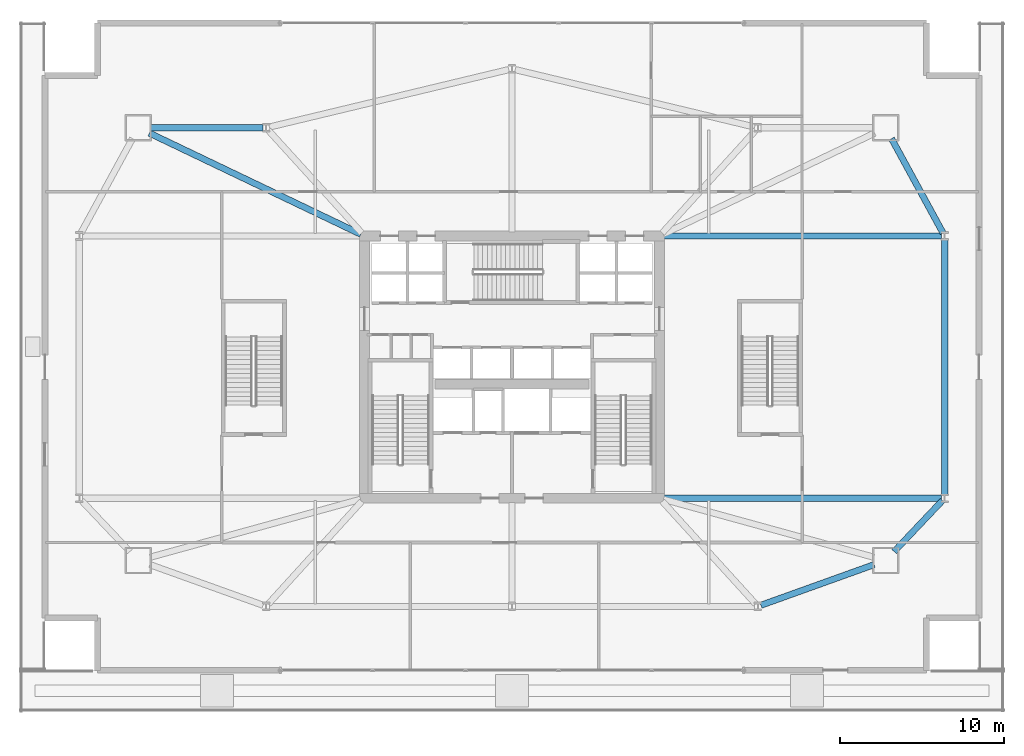
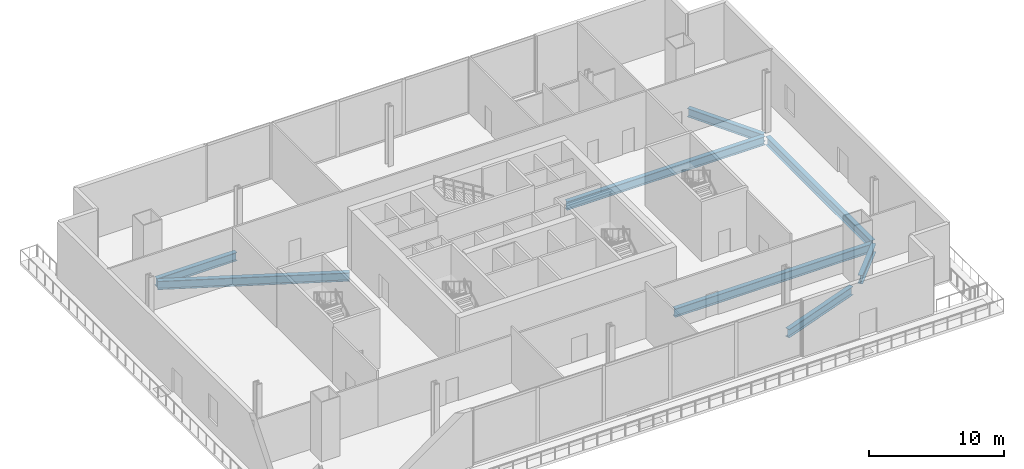
# One storey, part 6 of 20: 8 beams.
"""IFC4 building model written with IfcOpenShell, lengths in metres."""

import ifcopenshell
import ifcopenshell.guid

model = None  # the IFC model being written
_history = None  # IfcOwnerHistory: only IFC2X3 demands one
_inside = {}  # id of a spatial element -> (the spatial element, [elements in it])
_under = {}  # id of a project, library or spatial element -> (it, [spatial elements below it])
_declared = {}  # id of a project -> (the project, [libraries it declares])
_typed = {}  # id of a type object -> (the type object, [elements of that type])
_made_of = {}  # id of a material, layer set ... -> (it, [elements and type objects made of it])


def new_model(schema):
    """Start an empty IFC model of exactly this schema.

    Asked for "IFC4X3", IfcOpenShell would pick the latest addendum, in which some entities
    have other attributes; the version numbers below select the first issue.
    IFC2X3 requires an IfcOwnerHistory on every rooted entity: one is made here for all.
    """
    global model, _history
    if schema == "IFC4X3":
        model = ifcopenshell.file(schema_version=(4, 3, 0, 0))
    else:
        model = ifcopenshell.file(schema=schema)
    _inside.clear()
    _under.clear()
    _declared.clear()
    _typed.clear()
    _made_of.clear()
    _history = None
    if model.schema == "IFC2X3":
        org = make("IfcOrganization", Name="unknown")
        user = make(
            "IfcPersonAndOrganization",
            ThePerson=make("IfcPerson", FamilyName="unknown"),
            TheOrganization=org,
        )
        app = make(
            "IfcApplication",
            ApplicationDeveloper=org,
            Version="unknown",
            ApplicationFullName="unknown",
            ApplicationIdentifier="unknown",
        )
        _history = make(
            "IfcOwnerHistory",
            OwningUser=user,
            OwningApplication=app,
            ChangeAction="ADDED",
            CreationDate=0,
        )
    return model


def make(cls, **values):
    """One entity of the class cls with the attributes given. An attribute that is None is left unset."""
    return model.create_entity(
        cls, **{name: value for name, value in values.items() if value is not None}
    )


def rooted(cls, **values):
    """An entity with a GlobalId (a new one), such as an element, a storey or a relation."""
    return make(cls, GlobalId=ifcopenshell.guid.new(), OwnerHistory=_history, **values)


def si_unit(unit_type, name, prefix=None):
    """IfcSIUnit, for example si_unit("LENGTHUNIT", "METRE", prefix="MILLI")."""
    return make("IfcSIUnit", UnitType=unit_type, Prefix=prefix, Name=name)


def assignment(units):
    """IfcUnitAssignment: the units of a project."""
    return None if units is None else make("IfcUnitAssignment", Units=units)


def point(xyz):
    """IfcCartesianPoint."""
    return None if xyz is None else make("IfcCartesianPoint", Coordinates=xyz)


def direction(xyz):
    """IfcDirection."""
    return None if xyz is None else make("IfcDirection", DirectionRatios=xyz)


def frame(location, z_axis=None, x_axis=None):
    """IfcAxis2Placement3D, a coordinate frame: its origin and axes. An axis left out is left unset."""
    return make(
        "IfcAxis2Placement3D",
        Location=point(location),
        Axis=direction(z_axis),
        RefDirection=direction(x_axis),
    )


def frame_2d(location, x_axis=None):
    """IfcAxis2Placement2D, a coordinate frame in the plane: its origin and x axis."""
    return make(
        "IfcAxis2Placement2D", Location=point(location), RefDirection=direction(x_axis)
    )


def origin():
    """The frame at (0, 0, 0) with its axes left unset."""
    return frame((0.0, 0.0, 0.0))


def origin_2d():
    """The frame at (0, 0) in the plane with its x axis left unset."""
    return frame_2d((0.0, 0.0))


def place(relative_to, where):
    """IfcLocalPlacement: puts the frame where relative to a parent placement (None: the world)."""
    return make(
        "IfcLocalPlacement", PlacementRelTo=relative_to, RelativePlacement=where
    )


def context(
    kind, dimensions, precision=None, world=None, true_north=None, identifier=None
):
    """IfcGeometricRepresentationContext, for example the 3D "Model" context."""
    return make(
        "IfcGeometricRepresentationContext",
        ContextIdentifier=identifier,
        ContextType=kind,
        CoordinateSpaceDimension=dimensions,
        Precision=precision,
        WorldCoordinateSystem=world,
        TrueNorth=true_north,
    )


def subcontext(parent, identifier, kind, view, scale=None):
    """IfcGeometricRepresentationSubContext, for example "Body" below "Model"."""
    return make(
        "IfcGeometricRepresentationSubContext",
        ContextIdentifier=identifier,
        ContextType=kind,
        ParentContext=parent,
        TargetScale=scale,
        TargetView=view,
    )


def project(units=None, contexts=None):
    """IfcProject with its units and contexts."""
    return rooted(
        "IfcProject",
        Name="project",
        RepresentationContexts=contexts,
        UnitsInContext=assignment(units),
    )


def spatial(cls, under=None, at=None, **own):
    """A site, building, storey or space (cls), placed at a placement, below another one or the project."""
    s = rooted(cls, ObjectPlacement=at, **own)
    if under is not None:
        _under.setdefault(under.id(), (under, []))[1].append(s)
    return s


def profile(cls, at=None, kind="AREA", **sizes):
    """A parametric profile (cls). Its sizes go by their IFC names, for example OverallWidth=200.0."""
    return make(cls, ProfileType=kind, Position=at, **sizes)


def i_section(**sizes):
    """IfcIShapeProfileDef."""
    return profile("IfcIShapeProfileDef", **sizes)


def extrude(swept, where, along, depth):
    """IfcExtrudedAreaSolid: the profile swept, set in the frame where, extruded along a direction by depth."""
    return make(
        "IfcExtrudedAreaSolid",
        SweptArea=swept,
        Position=where,
        ExtrudedDirection=direction(along),
        Depth=depth,
    )


def shape(context_of_items, identifier, shape_type, items):
    """IfcShapeRepresentation: the items that make up one representation, for example the "Body"."""
    return make(
        "IfcShapeRepresentation",
        ContextOfItems=context_of_items,
        RepresentationIdentifier=identifier,
        RepresentationType=shape_type,
        Items=items,
    )


def material(Name=None, Category=None):
    """IfcMaterial."""
    return make("IfcMaterial", Name=Name, Category=Category)


def material_profile(
    of_material, cross_section, Name=None, Category=None, Priority=None
):
    """IfcMaterialProfile: a cross section and its material."""
    return make(
        "IfcMaterialProfile",
        Name=Name,
        Material=of_material,
        Profile=cross_section,
        Priority=Priority,
        Category=Category,
    )


def profile_set(profiles, Name=None, composite=None):
    """IfcMaterialProfileSet."""
    return make(
        "IfcMaterialProfileSet",
        Name=Name,
        MaterialProfiles=profiles,
        CompositeProfile=composite,
    )


def made_of(thing, what):
    """Note that an element or type object is made of a material, layer set ...; save() writes the relation."""
    if what is not None:
        _made_of.setdefault(what.id(), (what, []))[1].append(thing)
    return thing


def type_object(cls, material=None, **own):
    """A type object (cls), such as IfcWallType, which elements share."""
    return made_of(rooted(cls, **own), material)


def element(
    cls,
    number,
    at=None,
    inside=None,
    cuts=None,
    type_object=None,
    material=None,
    context=None,
    identifier="Body",
    shape_type=None,
    held_by="IfcProductDefinitionShape",
    body=None,
    shapes=None,
    **own,
):
    """One element of the class cls, such as IfcWall. Its Tag is "e" and its number.

    at: its placement. inside: the storey or other place that contains it. cuts: it is an
    opening in that element (IfcRelVoidsElement). A single representation is given by context,
    identifier, shape_type and body (its items); several are given by shapes. held_by: the class
    of the entity that holds the representations. save() writes the other relations.
    """
    e = rooted(cls, Tag="e%d" % number, ObjectPlacement=at, **own)
    if body is not None:
        shapes = [shape(context, identifier, shape_type, body)]
    if shapes is not None:
        e.Representation = make(held_by, Representations=shapes)
    if inside is not None:
        _inside.setdefault(inside.id(), (inside, []))[1].append(e)
    if cuts is not None:
        rooted(
            "IfcRelVoidsElement", RelatingBuildingElement=cuts, RelatedOpeningElement=e
        )
    if type_object is not None:
        _typed.setdefault(type_object.id(), (type_object, []))[1].append(e)
    return made_of(e, material)


def aggregate(whole, parts):
    """IfcRelAggregates: a whole, such as a stair, and the parts it consists of."""
    return rooted("IfcRelAggregates", RelatingObject=whole, RelatedObjects=parts)


def save(model, path):
    """Write the relations noted so far, then the file.

    IfcRelAggregates (storeys below a building ...), IfcRelContainedInSpatialStructure (elements
    in a storey), IfcRelDefinesByType, IfcRelAssociatesMaterial and IfcRelDeclares: one each for
    every whole, place, type object, material and project.
    """
    for whole, parts in _under.values():
        aggregate(whole, parts)
    for where, things in _inside.values():
        rooted(
            "IfcRelContainedInSpatialStructure",
            RelatedElements=things,
            RelatingStructure=where,
        )
    for kind, things in _typed.values():
        rooted("IfcRelDefinesByType", RelatedObjects=things, RelatingType=kind)
    for what, things in _made_of.values():
        rooted("IfcRelAssociatesMaterial", RelatedObjects=things, RelatingMaterial=what)
    for by, libraries in _declared.values():
        rooted("IfcRelDeclares", RelatingContext=by, RelatedDefinitions=libraries)
    model.write(path)


model = new_model("IFC4")

# Units and contexts
model_context = context("Model", 3, precision=1e-05, world=origin(), true_north=direction((0.0, 1.0)))
body_context = subcontext(model_context, "Body", "Model", "MODEL_VIEW")
ifc_project = project(units=[si_unit("LENGTHUNIT", "METRE"), si_unit("AREAUNIT", "SQUARE_METRE"), si_unit("VOLUMEUNIT", "CUBIC_METRE"), si_unit("PLANEANGLEUNIT", "RADIAN"), si_unit("MASSUNIT", "GRAM", prefix="KILO")], contexts=[model_context])

# Site, building, storey
site_placement = place(None, origin())
site = spatial("IfcSite", under=ifc_project, at=site_placement, CompositionType="ELEMENT")
building_placement = place(site_placement, origin())
building = spatial("IfcBuilding", under=site, at=building_placement, Name="Haldenkirk Collegiate Tower", CompositionType="ELEMENT")
storey_placement = place(building_placement, frame((0.0, 0.0, 11.39990234375)))
storey = spatial("IfcBuildingStorey", under=building, at=storey_placement, Name="L02", CompositionType="ELEMENT", Elevation=11.39990234375)

# Beams
ifc_material = material(Name="Steel ASTM A992 Grade 50", Category="steel")
ifc_material_profile = material_profile(ifc_material, i_section(OverallWidth=0.381103515625, OverallDepth=0.77294921875, WebThickness=0.0166015625, FlangeThickness=0.027099609375, at=origin_2d()), Name="W30X173")
ifc_profile_set = profile_set([ifc_material_profile], Name="Steel ASTM A992 Grade 50")
beam_type = type_object("IfcBeamType", Name="BM-GIRDER-W30X173", PredefinedType="BEAM", material=ifc_profile_set)
beam_1_placement = place(storey_placement, frame((51.188232421875, 11.467529296875, -0.71630859375), z_axis=(0.941194128141, 0.337866265189, 0.0), x_axis=(-0.337866265189, 0.941194128141, 0.0)))
element("IfcBeam", 1, at=beam_1_placement, inside=storey, type_object=beam_type, Name="L02 podium ring girder 04", PredefinedType="BEAM", context=body_context, shape_type="SweptSolid", body=[
    extrude(i_section(OverallWidth=0.381103515625, OverallDepth=0.77294921875, WebThickness=0.0166015625, FlangeThickness=0.027099609375, at=origin_2d()), origin(), (0.0, 0.0, 1.0), 7.337158203125),
])
beam_2_placement = place(storey_placement, frame((59.31591796875, 14.744384765625, -0.71630859375), z_axis=(0.687730422772, 0.725966160089, 0.0), x_axis=(-0.725966160089, 0.687730422772, 0.0)))
element("IfcBeam", 2, at=beam_2_placement, inside=storey, type_object=beam_type, Name="L02 podium ring girder 05", PredefinedType="BEAM", context=body_context, shape_type="SweptSolid", body=[
    extrude(i_section(OverallWidth=0.381103515625, OverallDepth=0.77294921875, WebThickness=0.0166015625, FlangeThickness=0.027099609375, at=origin_2d()), origin(), (0.0, 0.0, 1.0), 4.284423828125),
])
beam_3_placement = place(storey_placement, frame((62.39990234375, 18.199951171875, -0.71630859375), z_axis=(0.0, 1.0, 0.0), x_axis=(-1.0, 0.0, 0.0)))
element("IfcBeam", 3, at=beam_3_placement, inside=storey, type_object=beam_type, Name="L02 podium ring girder 06", PredefinedType="BEAM", context=body_context, shape_type="SweptSolid", body=[
    extrude(i_section(OverallWidth=0.381103515625, OverallDepth=0.77294921875, WebThickness=0.0166015625, FlangeThickness=0.027099609375, at=origin_2d()), origin(), (0.0, 0.0, 1.0), 15.60009765625),
])
beam_4_placement = place(storey_placement, frame((62.30419921875, 34.175537109375, -0.71630859375), z_axis=(-0.47883650459, 0.877904096056, 0.0), x_axis=(-0.877904096056, -0.47883650459, 0.0)))
element("IfcBeam", 4, at=beam_4_placement, inside=storey, type_object=beam_type, Name="L02 podium ring girder 07", PredefinedType="BEAM", context=body_context, shape_type="SweptSolid", body=[
    extrude(i_section(OverallWidth=0.381103515625, OverallDepth=0.77294921875, WebThickness=0.0166015625, FlangeThickness=0.027099609375, at=origin_2d()), origin(), (0.0, 0.0, 1.0), 6.568115234375),
])
beam_5_placement = place(storey_placement, frame((20.800048828125, 40.60009765625, -0.71630859375), z_axis=(-1.0, 0.0, 0.0), x_axis=(0.0, -1.0, 0.0)))
element("IfcBeam", 5, at=beam_5_placement, inside=storey, type_object=beam_type, Name="L02 podium ring girder 11", PredefinedType="BEAM", context=body_context, shape_type="SweptSolid", body=[
    extrude(i_section(OverallWidth=0.381103515625, OverallDepth=0.77294921875, WebThickness=0.0166015625, FlangeThickness=0.027099609375, at=origin_2d()), origin(), (0.0, 0.0, 1.0), 6.85009765625),
])
for number, where, z_axis, x_axis, name in (
    (6, (62.199951171875, 18.0, -0.71630859375), (-1.0, 0.0, 0.0), (0.0, -1.0, 0.0), "L02 podium radial girder 03"),
    (7, (62.199951171875, 34.0, -0.71630859375), (-1.0, 0.0, 0.0), (0.0, -1.0, 0.0), "L02 podium radial girder 04"),
):
    element("IfcBeam", number, at=place(storey_placement, frame(where, z_axis=z_axis, x_axis=x_axis)), inside=storey, type_object=beam_type, Name=name, PredefinedType="BEAM", context=body_context, shape_type="SweptSolid", body=[
        extrude(i_section(OverallWidth=0.381103515625, OverallDepth=0.77294921875, WebThickness=0.0166015625, FlangeThickness=0.027099609375, at=origin_2d()), origin(), (0.0, 0.0, 1.0), 16.949951171875),
    ])
beam_6_placement = place(storey_placement, frame((13.876708984375, 40.2763671875, -0.71630859375), z_axis=(0.902134510622, -0.431454893058, 0.0), x_axis=(0.431454893058, 0.902134510622, 0.0)))
element("IfcBeam", 8, at=beam_6_placement, inside=storey, type_object=beam_type, Name="L02 podium radial girder 14", PredefinedType="BEAM", context=body_context, shape_type="SweptSolid", body=[
    extrude(i_section(OverallWidth=0.381103515625, OverallDepth=0.77294921875, WebThickness=0.0166015625, FlangeThickness=0.027099609375, at=origin_2d()), origin(), (0.0, 0.0, 1.0), 14.296875),
])

save(model, "model.ifc")
